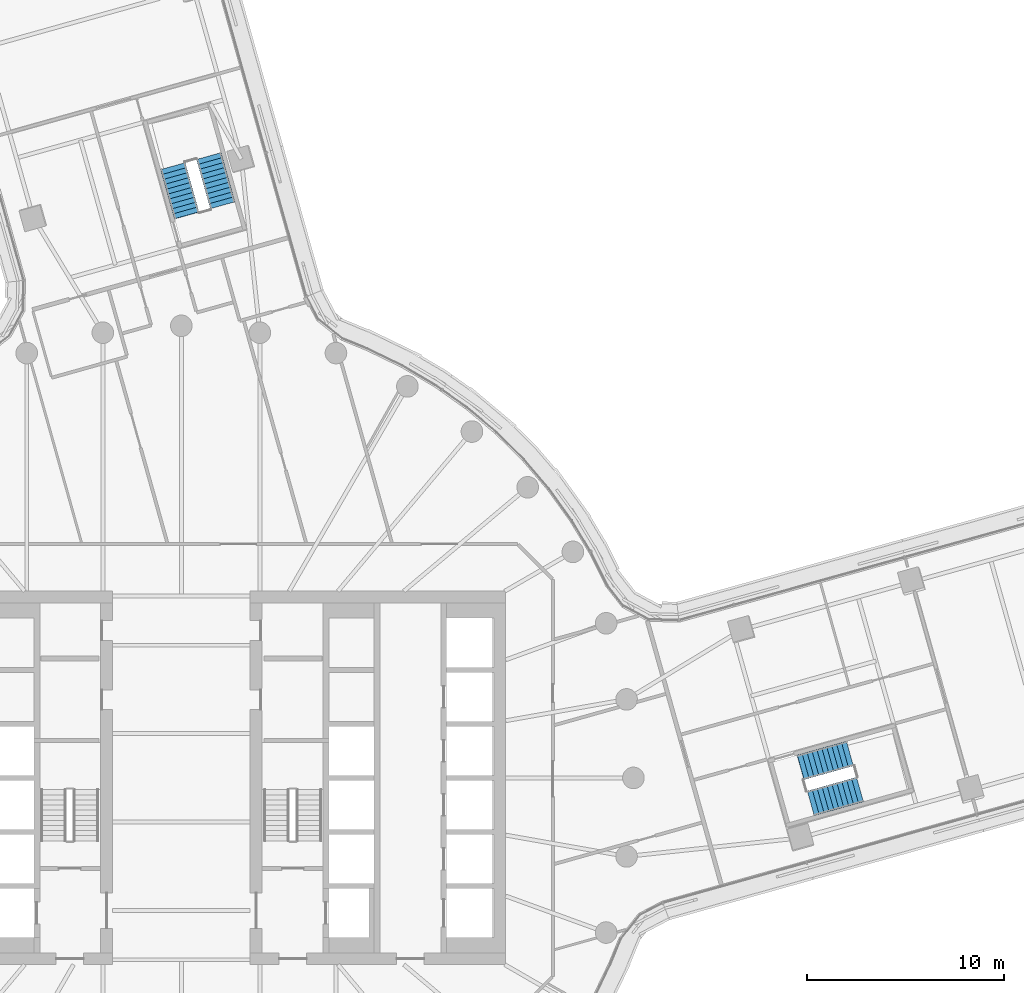
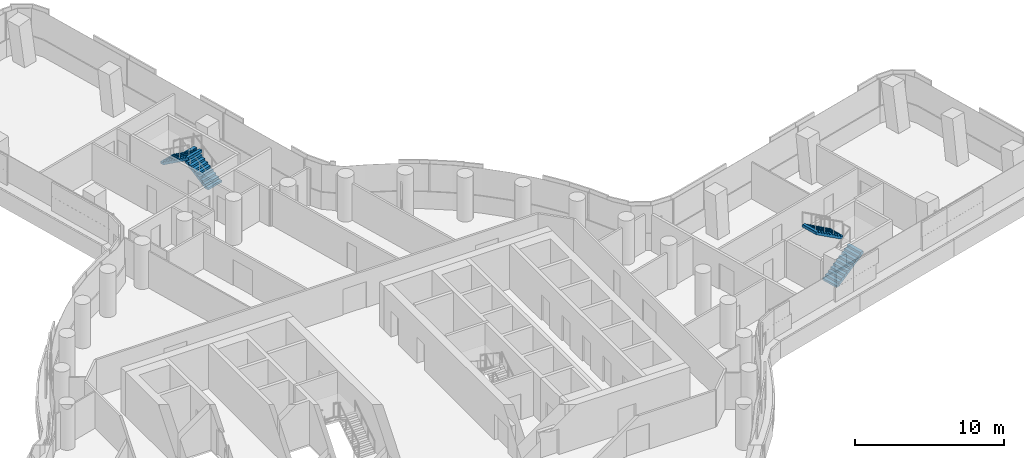
# One storey, part 23 of 30: 4 stair flights, 2 elements without a shape of their own.
"""IFC4 building model written with IfcOpenShell, lengths in metres."""

from ifc_helpers import new_model, si_unit, direction, frame, origin, place, context, subcontext, project, spatial, polyline, outline, extrude, material, type_object, element, aggregate, save


model = new_model("IFC4")

# Units and contexts
model_context = context("Model", 3, precision=1e-05, world=origin(), true_north=direction((0.0, 1.0)))
body_context = subcontext(model_context, "Body", "Model", "MODEL_VIEW")
ifc_project = project(units=[si_unit("LENGTHUNIT", "METRE"), si_unit("AREAUNIT", "SQUARE_METRE"), si_unit("VOLUMEUNIT", "CUBIC_METRE"), si_unit("PLANEANGLEUNIT", "RADIAN"), si_unit("MASSUNIT", "GRAM", prefix="KILO")], contexts=[model_context])

# Site, building, storey
site_placement = place(None, origin())
site = spatial("IfcSite", under=ifc_project, at=site_placement, CompositionType="ELEMENT")
building_placement = place(site_placement, origin())
building = spatial("IfcBuilding", under=site, at=building_placement, Name="Tamarind Cross Interchange Tower", CompositionType="ELEMENT")
storey_placement = place(building_placement, frame((0.0, 0.0, 91.0)))
storey = spatial("IfcBuildingStorey", under=building, at=storey_placement, Name="L21", CompositionType="ELEMENT", Elevation=91.0)

# Stair, stair flights
ifc_material_1 = material(Name="Exit stair")
stair_type = type_object("IfcStairType", Name="Exit stair", PredefinedType="HALF_TURN_STAIR", material=ifc_material_1)
stair_1_placement = place(storey_placement, origin())
stair_1 = element("IfcStair", 1, at=stair_1_placement, inside=storey, type_object=stair_type, Name="L21 exit stair ST3", PredefinedType="HALF_TURN_STAIR")
ifc_material_2 = material(Name="Exit stair flight")
stair_flight_type = type_object("IfcStairFlightType", Name="Exit stair flight", PredefinedType="STRAIGHT", material=ifc_material_2)
stair_flight_1_placement = place(storey_placement, frame((32.021240234375, -1.291015625, 0.0), z_axis=(0.0, 0.0, 1.0), x_axis=(0.962823871791, 0.270129953744, 0.0)))
stair_flight_1 = element("IfcStairFlight", 2, at=stair_flight_1_placement, type_object=stair_flight_type, Name="ST3 flight 1", NumberOfRisers=11, NumberOfTreads=10, PredefinedType="STRAIGHT", RiserHeight=0.170454545, TreadLength=0.26, context=body_context, shape_type="SweptSolid", body=[
    extrude(outline(polyline([(0.0, 0.0), (0.0, 0.17041015625), (0.260009765625, 0.17041015625), (0.260009765625, 0.3408203125), (0.52001953125, 0.3408203125), (0.52001953125, 0.511474609375), (0.780029296875, 0.511474609375), (0.780029296875, 0.681884765625), (1.0400390625, 0.681884765625), (1.0400390625, 0.852294921875), (1.300048828125, 0.852294921875), (1.300048828125, 1.022705078125), (1.56005859375, 1.022705078125), (1.56005859375, 1.193115234375), (1.820068359375, 1.193115234375), (1.820068359375, 1.363525390625), (2.080078125, 1.363525390625), (2.080078125, 1.5341796875), (2.340087890625, 1.5341796875), (2.340087890625, 1.70458984375), (2.60009765625, 1.70458984375), (2.60009765625, 1.875), (2.60009765625, 1.525390625), (0.2734375, 0.0), (0.0, 0.0)])), frame((0.0, 0.64990234375, 0.0), z_axis=(0.0, -1.0, 0.0), x_axis=(1.0, 0.0, 0.0)), (0.0, 0.0, 1.0), 1.300048828125),
])
stair_flight_2_placement = place(storey_placement, frame((34.011474609375, 1.24072265625, 1.875), z_axis=(0.0, 0.0, 1.0), x_axis=(-0.962823871791, -0.270129953744, 0.0)))
stair_flight_2 = element("IfcStairFlight", 3, at=stair_flight_2_placement, type_object=stair_flight_type, Name="ST3 flight 2", NumberOfRisers=11, NumberOfTreads=10, PredefinedType="STRAIGHT", RiserHeight=0.170454545, TreadLength=0.26, context=body_context, shape_type="SweptSolid", body=[
    extrude(outline(polyline([(0.0, 0.0), (0.0, 0.17041015625), (0.260009765625, 0.17041015625), (0.260009765625, 0.3408203125), (0.52001953125, 0.3408203125), (0.52001953125, 0.511474609375), (0.780029296875, 0.511474609375), (0.780029296875, 0.681884765625), (1.0400390625, 0.681884765625), (1.0400390625, 0.852294921875), (1.300048828125, 0.852294921875), (1.300048828125, 1.022705078125), (1.56005859375, 1.022705078125), (1.56005859375, 1.193115234375), (1.820068359375, 1.193115234375), (1.820068359375, 1.363525390625), (2.080078125, 1.363525390625), (2.080078125, 1.5341796875), (2.340087890625, 1.5341796875), (2.340087890625, 1.70458984375), (2.60009765625, 1.70458984375), (2.60009765625, 1.7548828125), (2.612060546875, 1.7548828125), (2.612060546875, 1.533203125), (0.2734375, 0.0), (0.0, 0.0)])), frame((0.0, 0.64990234375, 0.0), z_axis=(0.0, -1.0, 0.0), x_axis=(1.0, 0.0, 0.0)), (0.0, 0.0, 1.0), 1.300048828125),
])
aggregate(stair_1, [stair_flight_1, stair_flight_2])

stair_2_placement = place(storey_placement, origin())
stair_2 = element("IfcStair", 4, at=stair_2_placement, inside=storey, type_object=stair_type, Name="L21 exit stair ST4", PredefinedType="HALF_TURN_STAIR")
stair_flight_3_placement = place(storey_placement, frame((2.101318359375, 29.1328125, 0.0), z_axis=(0.0, 0.0, 1.0), x_axis=(-0.270129953744, 0.962823871791, 0.0)))
stair_flight_3 = element("IfcStairFlight", 5, at=stair_flight_3_placement, type_object=stair_flight_type, Name="ST4 flight 1", NumberOfRisers=11, NumberOfTreads=10, PredefinedType="STRAIGHT", RiserHeight=0.170454545, TreadLength=0.26, context=body_context, shape_type="SweptSolid", body=[
    extrude(outline(polyline([(0.0, 0.0), (0.0, 0.17041015625), (0.260009765625, 0.17041015625), (0.260009765625, 0.3408203125), (0.52001953125, 0.3408203125), (0.52001953125, 0.511474609375), (0.780029296875, 0.511474609375), (0.780029296875, 0.681884765625), (1.0400390625, 0.681884765625), (1.0400390625, 0.852294921875), (1.300048828125, 0.852294921875), (1.300048828125, 1.022705078125), (1.56005859375, 1.022705078125), (1.56005859375, 1.193115234375), (1.820068359375, 1.193115234375), (1.820068359375, 1.363525390625), (2.080078125, 1.363525390625), (2.080078125, 1.5341796875), (2.340087890625, 1.5341796875), (2.340087890625, 1.70458984375), (2.60009765625, 1.70458984375), (2.60009765625, 1.875), (2.60009765625, 1.525390625), (0.2734375, 0.0), (0.0, 0.0)])), frame((0.0, 0.64990234375, 0.0), z_axis=(0.0, -1.0, 0.0), x_axis=(1.0, 0.0, 0.0)), (0.0, 0.0, 1.0), 1.300048828125),
])
stair_flight_4_placement = place(storey_placement, frame((-0.430419921875, 31.122802734375, 1.875), z_axis=(0.0, 0.0, 1.0), x_axis=(0.270129953744, -0.962823871791, 0.0)))
stair_flight_4 = element("IfcStairFlight", 6, at=stair_flight_4_placement, type_object=stair_flight_type, Name="ST4 flight 2", NumberOfRisers=11, NumberOfTreads=10, PredefinedType="STRAIGHT", RiserHeight=0.170454545, TreadLength=0.26, context=body_context, shape_type="SweptSolid", body=[
    extrude(outline(polyline([(0.0, 0.0), (0.0, 0.17041015625), (0.260009765625, 0.17041015625), (0.260009765625, 0.3408203125), (0.52001953125, 0.3408203125), (0.52001953125, 0.511474609375), (0.780029296875, 0.511474609375), (0.780029296875, 0.681884765625), (1.0400390625, 0.681884765625), (1.0400390625, 0.852294921875), (1.300048828125, 0.852294921875), (1.300048828125, 1.022705078125), (1.56005859375, 1.022705078125), (1.56005859375, 1.193115234375), (1.820068359375, 1.193115234375), (1.820068359375, 1.363525390625), (2.080078125, 1.363525390625), (2.080078125, 1.5341796875), (2.340087890625, 1.5341796875), (2.340087890625, 1.70458984375), (2.60009765625, 1.70458984375), (2.60009765625, 1.7548828125), (2.612060546875, 1.7548828125), (2.612060546875, 1.533203125), (0.2734375, 0.0), (0.0, 0.0)])), frame((0.0, 0.64990234375, 0.0), z_axis=(0.0, -1.0, 0.0), x_axis=(1.0, 0.0, 0.0)), (0.0, 0.0, 1.0), 1.300048828125),
])
aggregate(stair_2, [stair_flight_3, stair_flight_4])

save(model, "model.ifc")
